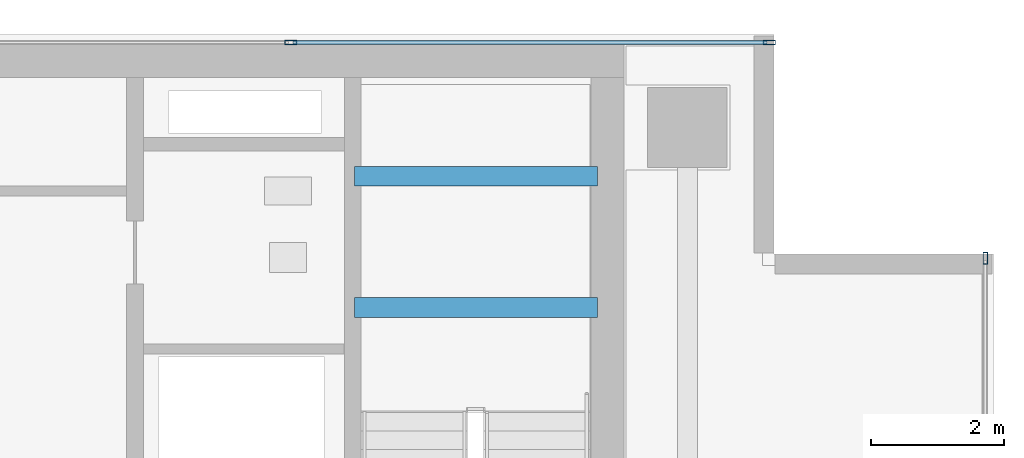
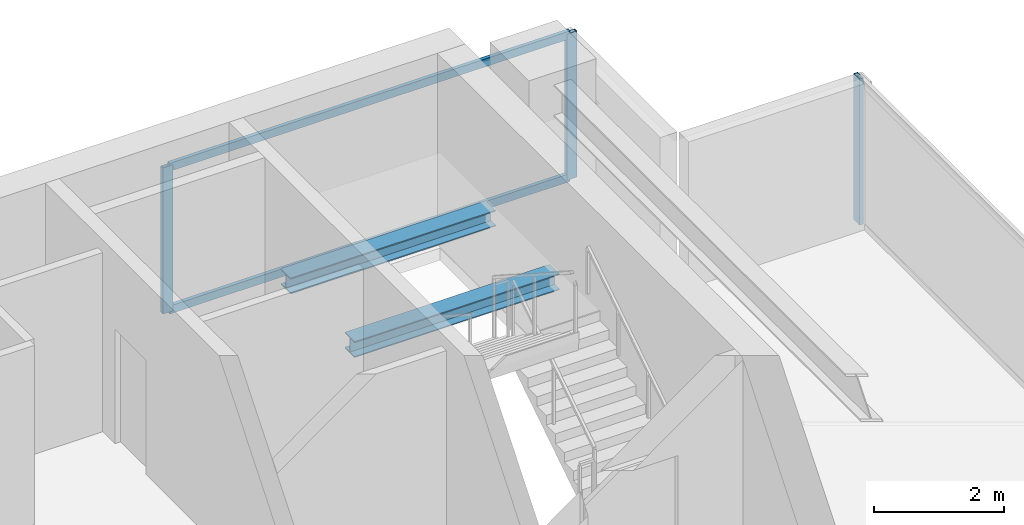
# One storey, part 14 of 23: 5 members, 2 beams, 2 elements without a shape of their own.
"""IFC4 building model written with IfcOpenShell, lengths in metres."""

from ifc_helpers import new_model, si_unit, direction, frame, origin, origin_2d, place, context, subcontext, project, spatial, hollow_rectangle, i_section, extrude, source, transform, mapped, material, layer, layer_set, material_profile, profile_set, type_object, element, aggregate, save


model = new_model("IFC4")

# Units and contexts
model_context = context("Model", 3, precision=1e-05, world=origin(), true_north=direction((0.0, 1.0)))
body_context = subcontext(model_context, "Body", "Model", "MODEL_VIEW")
ifc_project = project(units=[si_unit("LENGTHUNIT", "METRE"), si_unit("AREAUNIT", "SQUARE_METRE"), si_unit("VOLUMEUNIT", "CUBIC_METRE"), si_unit("PLANEANGLEUNIT", "RADIAN"), si_unit("MASSUNIT", "GRAM", prefix="KILO")], contexts=[model_context])

# Site, building, storey
site_placement = place(None, origin())
site = spatial("IfcSite", under=ifc_project, at=site_placement, CompositionType="ELEMENT")
building_placement = place(site_placement, origin())
building = spatial("IfcBuilding", under=site, at=building_placement, Name="Sumidabori Civic Tower", CompositionType="ELEMENT")
storey_placement = place(building_placement, frame((0.0, 0.0, 275.60009765625)))
storey = spatial("IfcBuildingStorey", under=building, at=storey_placement, Name="L72", CompositionType="ELEMENT", Elevation=275.60009765625)

# Beams
ifc_material_1 = material(Name="Steel SN490", Category="steel")
ifc_material_profile_1 = material_profile(ifc_material_1, i_section(OverallWidth=0.300048828125, OverallDepth=0.300048828125, WebThickness=0.010986328125, FlangeThickness=0.01904296875, at=origin_2d()), Name="HE 300 B")
ifc_profile_set_1 = profile_set([ifc_material_profile_1], Name="Steel SN490")
beam_type = type_object("IfcBeamType", Name="BM-LDG-300", PredefinedType="BEAM", material=ifc_profile_set_1)
shared_shape_1 = source(origin(), body_context, "Body", "SweptSolid", [
    extrude(i_section(OverallWidth=0.300048828125, OverallDepth=0.300048828125, WebThickness=0.010986328125, FlangeThickness=0.01904296875, at=origin_2d()), origin(), (0.0, 0.0, 1.0), 3.64990234375),
])
for number, where, z_axis, x_axis, name in (
    (1, (11.800048828125, 20.09765625, 1.449951171875), (1.0, 0.0, 0.0), (0.0, 1.0, 0.0), "Stair ST-2 Landing Support Beam L72-1A"),
    (2, (11.800048828125, 22.069580078125, 1.449951171875), (1.0, 0.0, 0.0), (0.0, 1.0, 0.0), "Stair ST-2 Landing Trimmer Beam L72-1B"),
):
    element("IfcBeam", number, at=place(storey_placement, frame(where, z_axis=z_axis, x_axis=x_axis)), inside=storey, type_object=beam_type, Name=name, PredefinedType="BEAM", context=body_context, shape_type="MappedRepresentation", body=[
        mapped(shared_shape_1, transform((0.0, 0.0, 0.0), x_axis=(1.0, 0.0, 0.0), y_axis=(0.0, 1.0, 0.0), z_axis=(0.0, 0.0, 1.0), scale=1.0)),
    ])

# Curtain wall, member
ifc_material_2 = material(Name="Anodised Bronze Aluminium AW-6063-T6", Category="aluminium")
ifc_layer = layer(ifc_material_2, 0.179931640625, Name="Anodised Bronze Aluminium AW-6063-T6")
ifc_layer_set = layer_set([ifc_layer], Name="Anodised Bronze Aluminium AW-6063-T6")
curtain_wall_type = type_object("IfcCurtainWallType", Name="CW-SYS-6", PredefinedType="NOTDEFINED", material=ifc_layer_set)
curtain_wall_1_placement = place(storey_placement, origin())
curtain_wall_1 = element("IfcCurtainWall", 3, at=curtain_wall_1_placement, inside=storey, type_object=curtain_wall_type, Name="Curtain Wall CW:L72:R04", PredefinedType="NOTDEFINED")
ifc_material_profile_2 = material_profile(ifc_material_2, hollow_rectangle(XDim=0.070068359375, YDim=0.179931640625, WallThickness=0.006103515625, at=origin_2d()), Name="ALU MULLION 180x70")
ifc_profile_set_2 = profile_set([ifc_material_profile_2], Name="Anodised Bronze Aluminium AW-6063-T6")
member_type_1 = type_object("IfcMemberType", Name="CW-MUL-180", PredefinedType="MULLION", material=ifc_profile_set_2)
shared_shape_2 = source(origin(), body_context, "Body", "SweptSolid", [
    extrude(hollow_rectangle(XDim=0.070068359375, YDim=0.179931640625, WallThickness=0.006103515625, at=origin_2d()), origin(), (0.0, 0.0, 1.0), 2.75),
])
member_1_placement = place(storey_placement, frame((21.280029296875, 20.8349609375, 0.0), z_axis=(0.0, 0.0, 1.0), x_axis=(-1.0, 0.0, 0.0)))
member_1 = element("IfcMember", 4, at=member_1_placement, type_object=member_type_1, Name="CW-6 mullion 5", PredefinedType="MULLION", context=body_context, shape_type="MappedRepresentation", body=[
    mapped(shared_shape_2, transform((0.0, 0.0, 0.0), x_axis=(1.0, 0.0, 0.0), y_axis=(0.0, 1.0, 0.0), z_axis=(0.0, 0.0, 1.0), scale=1.0)),
])
aggregate(curtain_wall_1, [member_1])

# Curtain wall, members
curtain_wall_2_placement = place(storey_placement, origin())
curtain_wall_2 = element("IfcCurtainWall", 5, at=curtain_wall_2_placement, inside=storey, type_object=curtain_wall_type, Name="Curtain Wall CW:L72:R07", PredefinedType="NOTDEFINED")
member_2_placement = place(storey_placement, frame((18.034912109375, 24.080078125, 0.0), z_axis=(0.0, 0.0, 1.0), x_axis=(0.0, -1.0, 0.0)))
member_2 = element("IfcMember", 6, at=member_2_placement, type_object=member_type_1, Name="CW-6 mullion 1", PredefinedType="MULLION", context=body_context, shape_type="MappedRepresentation", body=[
    mapped(shared_shape_2, transform((0.0, 0.0, 0.0), x_axis=(1.0, 0.0, 0.0), y_axis=(0.0, 1.0, 0.0), z_axis=(0.0, 0.0, 1.0), scale=1.0)),
])
member_3_placement = place(storey_placement, frame((10.842041015625, 24.080078125, 0.0), z_axis=(0.0, 0.0, 1.0), x_axis=(0.0, -1.0, 0.0)))
member_3 = element("IfcMember", 7, at=member_3_placement, type_object=member_type_1, Name="CW-6 mullion 2", PredefinedType="MULLION", context=body_context, shape_type="MappedRepresentation", body=[
    mapped(shared_shape_2, transform((0.0, 0.0, 0.0), x_axis=(1.0, 0.0, 0.0), y_axis=(0.0, 1.0, 0.0), z_axis=(0.0, 0.0, 1.0), scale=1.0)),
])
ifc_material_profile_3 = material_profile(ifc_material_2, hollow_rectangle(XDim=0.06494140625, YDim=0.14990234375, WallThickness=0.0048828125, at=origin_2d()), Name="ALU TRANSOM 150x65")
ifc_profile_set_3 = profile_set([ifc_material_profile_3], Name="Anodised Bronze Aluminium AW-6063-T6")
member_type_2 = type_object("IfcMemberType", Name="CW-TRN-150", PredefinedType="USERDEFINED", material=ifc_profile_set_3)
shared_shape_3 = source(origin(), body_context, "Body", "SweptSolid", [
    extrude(hollow_rectangle(XDim=0.06494140625, YDim=0.14990234375, WallThickness=0.0048828125, at=origin_2d()), origin(), (0.0, 0.0, 1.0), 7.123046875),
])
member_4_placement = place(storey_placement, frame((18.0, 24.080078125, 0.032470703125), z_axis=(-1.0, 0.0, 0.0), x_axis=(0.0, -1.0, 0.0)))
member_4 = element("IfcMember", 8, at=member_4_placement, type_object=member_type_2, Name="CW-6 transom 1.1", ObjectType="TRANSOM", PredefinedType="USERDEFINED", context=body_context, shape_type="MappedRepresentation", body=[
    mapped(shared_shape_3, transform((0.0, 0.0, 0.0), x_axis=(1.0, 0.0, 0.0), y_axis=(0.0, 1.0, 0.0), z_axis=(0.0, 0.0, 1.0), scale=1.0)),
])
member_5_placement = place(storey_placement, frame((18.0, 24.080078125, 2.71728515625), z_axis=(-1.0, 0.0, 0.0), x_axis=(0.0, -1.0, 0.0)))
member_5 = element("IfcMember", 9, at=member_5_placement, type_object=member_type_2, Name="CW-6 transom 1.2", ObjectType="TRANSOM", PredefinedType="USERDEFINED", context=body_context, shape_type="MappedRepresentation", body=[
    mapped(shared_shape_3, transform((0.0, 0.0, 0.0), x_axis=(1.0, 0.0, 0.0), y_axis=(0.0, 1.0, 0.0), z_axis=(0.0, 0.0, 1.0), scale=1.0)),
])
aggregate(curtain_wall_2, [member_2, member_3, member_4, member_5])

save(model, "model.ifc")
